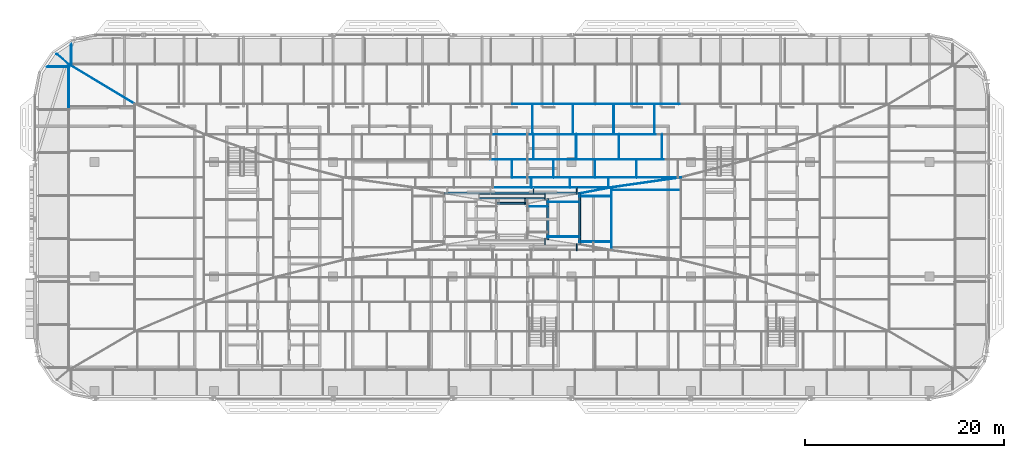
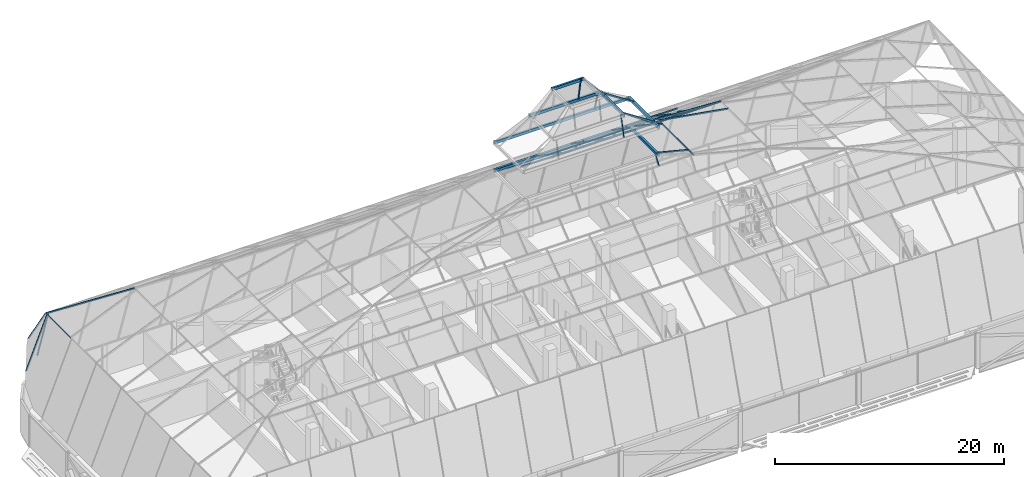
# One storey, part 12 of 39: 61 members, 17 elements without a shape of their own.
"""IFC4 building model written with IfcOpenShell, lengths in metres."""

from ifc_helpers import new_model, si_unit, direction, frame, origin, origin_2d, place, context, subcontext, project, spatial, rectangle, extrude, material, material_profile, profile_set, type_object, element, aggregate, save


model = new_model("IFC4")

# Units and contexts
model_context = context("Model", 3, precision=1e-05, world=origin(), true_north=direction((0.0, 1.0)))
body_context = subcontext(model_context, "Body", "Model", "MODEL_VIEW")
ifc_project = project(units=[si_unit("LENGTHUNIT", "METRE"), si_unit("AREAUNIT", "SQUARE_METRE"), si_unit("VOLUMEUNIT", "CUBIC_METRE"), si_unit("PLANEANGLEUNIT", "RADIAN"), si_unit("MASSUNIT", "GRAM", prefix="KILO")], contexts=[model_context])

# Site, building, storey
site_placement = place(None, origin())
site = spatial("IfcSite", under=ifc_project, at=site_placement, CompositionType="ELEMENT")
building_placement = place(site_placement, origin())
building = spatial("IfcBuilding", under=site, at=building_placement, Name="Mahtab Terrace Research Tower", CompositionType="ELEMENT")
storey_placement = place(building_placement, frame((0.0, 0.0, 282.300048828125)))
storey = spatial("IfcBuildingStorey", under=building, at=storey_placement, Name="L69", CompositionType="ELEMENT", Elevation=282.300048828125)

# Curtain wall, member
ifc_material_1 = material(Name="Crown faceted glass roof")
curtain_wall_type = type_object("IfcCurtainWallType", Name="Crown faceted glass roof", PredefinedType="NOTDEFINED", material=ifc_material_1)
curtain_wall_1_placement = place(storey_placement, origin())
curtain_wall_1 = element("IfcCurtainWall", 1, at=curtain_wall_1_placement, inside=storey, type_object=curtain_wall_type, Name="CROWN.S6", PredefinedType="NOTDEFINED")
ifc_material_2 = material(Name="Natural anodised aluminium", Category="aluminium")
ifc_material_profile_1 = material_profile(ifc_material_2, rectangle(XDim=0.06005859375, YDim=0.139892578125, at=origin_2d()), Name="MULLION 60x140")
ifc_profile_set_1 = profile_set([ifc_material_profile_1], Name="Natural anodised aluminium")
member_type_1 = type_object("IfcMemberType", Name="Crown faceted glass roof mullion", PredefinedType="MULLION", material=ifc_profile_set_1)
member_1_placement = place(storey_placement, frame((6.513916015625, 2.654296875, 20.358154296875), z_axis=(0.0, 0.59674319679, 0.8024322757), x_axis=(-1.0, 0.0, 0.0)))
member_1 = element("IfcMember", 2, at=member_1_placement, type_object=member_type_1, Name="CWC-S7 mullion 4", PredefinedType="MULLION", context=body_context, shape_type="SweptSolid", body=[
    extrude(rectangle(XDim=0.06005859375, YDim=0.139892578125, at=origin_2d()), origin(), (0.0, 0.0, 1.0), 0.9970703125),
])
aggregate(curtain_wall_1, [member_1])

curtain_wall_2_placement = place(storey_placement, origin())
curtain_wall_2 = element("IfcCurtainWall", 3, at=curtain_wall_2_placement, inside=storey, type_object=curtain_wall_type, Name="CROWN.E5", PredefinedType="NOTDEFINED")
member_2_placement = place(storey_placement, frame((16.999267578125, 8.69091796875, 19.130859375), z_axis=(-0.985636308822, 0.0, 0.168881812909), x_axis=(0.0, -1.0, 0.0)))
member_2 = element("IfcMember", 4, at=member_2_placement, type_object=member_type_1, Name="CWC-E6 mullion 2", PredefinedType="MULLION", context=body_context, shape_type="SweptSolid", body=[
    extrude(rectangle(XDim=0.06005859375, YDim=0.139892578125, at=origin_2d()), origin(), (0.0, 0.0, 1.0), 7.106689453125),
])
aggregate(curtain_wall_2, [member_2])

# Curtain wall, members
curtain_wall_3_placement = place(storey_placement, origin())
curtain_wall_3 = element("IfcCurtainWall", 5, at=curtain_wall_3_placement, inside=storey, type_object=curtain_wall_type, Name="CROWN.E6", PredefinedType="NOTDEFINED")
member_3_placement = place(storey_placement, frame((9.989501953125, 3.4931640625, 20.33203125), z_axis=(-0.970007086103, 0.0, 0.243076639991), x_axis=(0.0, -1.0, 0.0)))
member_3 = element("IfcMember", 6, at=member_3_placement, type_object=member_type_1, Name="CWC-E7 mullion 1", PredefinedType="MULLION", context=body_context, shape_type="SweptSolid", body=[
    extrude(rectangle(XDim=0.06005859375, YDim=0.139892578125, at=origin_2d()), origin(), (0.0, 0.0, 1.0), 3.291259765625),
])
member_4_placement = place(storey_placement, frame((9.989501953125, 8.0791015625, 20.33203125), z_axis=(-0.970007086103, 0.0, 0.243076639991), x_axis=(0.0, -1.0, 0.0)))
member_4 = element("IfcMember", 7, at=member_4_placement, type_object=member_type_1, Name="CWC-E7 mullion 2", PredefinedType="MULLION", context=body_context, shape_type="SweptSolid", body=[
    extrude(rectangle(XDim=0.06005859375, YDim=0.139892578125, at=origin_2d()), origin(), (0.0, 0.0, 1.0), 3.291259765625),
])

# Curtain wall, member
curtain_wall_4_placement = place(storey_placement, origin())
curtain_wall_4 = element("IfcCurtainWall", 8, at=curtain_wall_4_placement, inside=storey, type_object=curtain_wall_type, Name="CROWN.N0", PredefinedType="NOTDEFINED")
member_5_placement = place(storey_placement, frame((-44.34814453125, 23.328125, 5.410400390625), z_axis=(0.0, -0.325662532981, 0.945486073199), x_axis=(1.0, 0.0, 0.0)))
member_5 = element("IfcMember", 9, at=member_5_placement, type_object=member_type_1, Name="CWC-N1 mullion 1", PredefinedType="MULLION", context=body_context, shape_type="SweptSolid", body=[
    extrude(rectangle(XDim=0.06005859375, YDim=0.139892578125, at=origin_2d()), origin(), (0.0, 0.0, 1.0), 6.099365234375),
])

# Curtain wall, members
curtain_wall_5_placement = place(storey_placement, origin())
curtain_wall_5 = element("IfcCurtainWall", 10, at=curtain_wall_5_placement, inside=storey, type_object=curtain_wall_type, Name="CROWN.N2", PredefinedType="NOTDEFINED")
member_6_placement = place(storey_placement, frame((2.048095703125, 17.344482421875, 13.9423828125), z_axis=(0.0, -0.822840996734, 0.568271672789), x_axis=(1.0, 0.0, 0.0)))
member_6 = element("IfcMember", 11, at=member_6_placement, type_object=member_type_1, Name="CWC-N3 mullion 9", PredefinedType="MULLION", context=body_context, shape_type="SweptSolid", body=[
    extrude(rectangle(XDim=0.06005859375, YDim=0.139892578125, at=origin_2d()), origin(), (0.0, 0.0, 1.0), 3.695068359375),
])
member_7_placement = place(storey_placement, frame((6.14404296875, 17.344482421875, 13.9423828125), z_axis=(0.0, -0.822840996734, 0.568271672789), x_axis=(1.0, 0.0, 0.0)))
member_7 = element("IfcMember", 12, at=member_7_placement, type_object=member_type_1, Name="CWC-N3 mullion 10", PredefinedType="MULLION", context=body_context, shape_type="SweptSolid", body=[
    extrude(rectangle(XDim=0.06005859375, YDim=0.139892578125, at=origin_2d()), origin(), (0.0, 0.0, 1.0), 3.695068359375),
])
member_8_placement = place(storey_placement, frame((10.239990234375, 17.344482421875, 13.9423828125), z_axis=(0.0, -0.822840996734, 0.568271672789), x_axis=(1.0, 0.0, 0.0)))
member_8 = element("IfcMember", 13, at=member_8_placement, type_object=member_type_1, Name="CWC-N3 mullion 11", PredefinedType="MULLION", context=body_context, shape_type="SweptSolid", body=[
    extrude(rectangle(XDim=0.06005859375, YDim=0.139892578125, at=origin_2d()), origin(), (0.0, 0.0, 1.0), 3.695068359375),
])
member_9_placement = place(storey_placement, frame((14.336181640625, 17.344482421875, 13.9423828125), z_axis=(0.0, -0.822840996734, 0.568271672789), x_axis=(1.0, 0.0, 0.0)))
member_9 = element("IfcMember", 14, at=member_9_placement, type_object=member_type_1, Name="CWC-N3 mullion 12", PredefinedType="MULLION", context=body_context, shape_type="SweptSolid", body=[
    extrude(rectangle(XDim=0.06005859375, YDim=0.139892578125, at=origin_2d()), origin(), (0.0, 0.0, 1.0), 3.695068359375),
])

curtain_wall_6_placement = place(storey_placement, origin())
curtain_wall_6 = element("IfcCurtainWall", 15, at=curtain_wall_6_placement, inside=storey, type_object=curtain_wall_type, Name="CROWN.N3", PredefinedType="NOTDEFINED")
member_10_placement = place(storey_placement, frame((2.156005859375, 14.3046875, 16.041748046875), z_axis=(0.0, -0.830073925035, 0.557653368121), x_axis=(1.0, 0.0, 0.0)))
member_10 = element("IfcMember", 16, at=member_10_placement, type_object=member_type_1, Name="CWC-N4 mullion 7", PredefinedType="MULLION", context=body_context, shape_type="SweptSolid", body=[
    extrude(rectangle(XDim=0.06005859375, YDim=0.139892578125, at=origin_2d()), origin(), (0.0, 0.0, 1.0), 3.048828125),
])
member_11_placement = place(storey_placement, frame((6.468017578125, 14.3046875, 16.041748046875), z_axis=(0.0, -0.830073925035, 0.557653368121), x_axis=(1.0, 0.0, 0.0)))
member_11 = element("IfcMember", 17, at=member_11_placement, type_object=member_type_1, Name="CWC-N4 mullion 8", PredefinedType="MULLION", context=body_context, shape_type="SweptSolid", body=[
    extrude(rectangle(XDim=0.06005859375, YDim=0.139892578125, at=origin_2d()), origin(), (0.0, 0.0, 1.0), 3.048828125),
])
member_12_placement = place(storey_placement, frame((10.77978515625, 14.3046875, 16.041748046875), z_axis=(0.0, -0.830073925035, 0.557653368121), x_axis=(1.0, 0.0, 0.0)))
member_12 = element("IfcMember", 18, at=member_12_placement, type_object=member_type_1, Name="CWC-N4 mullion 9", PredefinedType="MULLION", context=body_context, shape_type="SweptSolid", body=[
    extrude(rectangle(XDim=0.06005859375, YDim=0.139892578125, at=origin_2d()), origin(), (0.0, 0.0, 1.0), 3.048828125),
])
member_13_placement = place(storey_placement, frame((15.091796875, 14.3046875, 16.041748046875), z_axis=(0.0, -0.830073925035, 0.557653368121), x_axis=(1.0, 0.0, 0.0)))
member_13 = element("IfcMember", 19, at=member_13_placement, type_object=member_type_1, Name="CWC-N4 mullion 10", PredefinedType="MULLION", context=body_context, shape_type="SweptSolid", body=[
    extrude(rectangle(XDim=0.06005859375, YDim=0.139892578125, at=origin_2d()), origin(), (0.0, 0.0, 1.0), 3.048828125),
])

curtain_wall_7_placement = place(storey_placement, origin())
curtain_wall_7 = element("IfcCurtainWall", 20, at=curtain_wall_7_placement, inside=storey, type_object=curtain_wall_type, Name="CROWN.N4", PredefinedType="NOTDEFINED")
member_14_placement = place(storey_placement, frame((0.0, 11.770263671875, 17.744384765625), z_axis=(0.0, -0.792683260763, 0.609633699943), x_axis=(1.0, 0.0, 0.0)))
member_14 = element("IfcMember", 21, at=member_14_placement, type_object=member_type_1, Name="CWC-N5 mullion 5", PredefinedType="MULLION", context=body_context, shape_type="SweptSolid", body=[
    extrude(rectangle(XDim=0.06005859375, YDim=0.139892578125, at=origin_2d()), origin(), (0.0, 0.0, 1.0), 2.296630859375),
])
member_15_placement = place(storey_placement, frame((4.177734375, 11.770263671875, 17.744384765625), z_axis=(0.0, -0.792683260763, 0.609633699943), x_axis=(1.0, 0.0, 0.0)))
member_15 = element("IfcMember", 22, at=member_15_placement, type_object=member_type_1, Name="CWC-N5 mullion 6", PredefinedType="MULLION", context=body_context, shape_type="SweptSolid", body=[
    extrude(rectangle(XDim=0.06005859375, YDim=0.139892578125, at=origin_2d()), origin(), (0.0, 0.0, 1.0), 2.296630859375),
])
member_16_placement = place(storey_placement, frame((8.35546875, 11.770263671875, 17.744384765625), z_axis=(0.0, -0.792683260763, 0.609633699943), x_axis=(1.0, 0.0, 0.0)))
member_16 = element("IfcMember", 23, at=member_16_placement, type_object=member_type_1, Name="CWC-N5 mullion 7", PredefinedType="MULLION", context=body_context, shape_type="SweptSolid", body=[
    extrude(rectangle(XDim=0.06005859375, YDim=0.139892578125, at=origin_2d()), origin(), (0.0, 0.0, 1.0), 2.296630859375),
])
member_17_placement = place(storey_placement, frame((12.533203125, 11.770263671875, 17.744384765625), z_axis=(0.0, -0.792683260763, 0.609633699943), x_axis=(1.0, 0.0, 0.0)))
member_17 = element("IfcMember", 24, at=member_17_placement, type_object=member_type_1, Name="CWC-N5 mullion 8", PredefinedType="MULLION", context=body_context, shape_type="SweptSolid", body=[
    extrude(rectangle(XDim=0.06005859375, YDim=0.139892578125, at=origin_2d()), origin(), (0.0, 0.0, 1.0), 2.296630859375),
])

curtain_wall_8_placement = place(storey_placement, origin())
curtain_wall_8 = element("IfcCurtainWall", 25, at=curtain_wall_8_placement, inside=storey, type_object=curtain_wall_type, Name="CROWN.N5", PredefinedType="NOTDEFINED")
member_18_placement = place(storey_placement, frame((1.94140625, 9.9384765625, 19.155029296875), z_axis=(0.0, -0.640675871112, 0.767811453532), x_axis=(1.0, 0.0, 0.0)))
member_18 = element("IfcMember", 26, at=member_18_placement, type_object=member_type_1, Name="CWC-N6 mullion 4", PredefinedType="MULLION", context=body_context, shape_type="SweptSolid", body=[
    extrude(rectangle(XDim=0.06005859375, YDim=0.139892578125, at=origin_2d()), origin(), (0.0, 0.0, 1.0), 1.563232421875),
])
member_19_placement = place(storey_placement, frame((5.823974609375, 9.9384765625, 19.155029296875), z_axis=(0.0, -0.640675871112, 0.767811453532), x_axis=(1.0, 0.0, 0.0)))
member_19 = element("IfcMember", 27, at=member_19_placement, type_object=member_type_1, Name="CWC-N6 mullion 5", PredefinedType="MULLION", context=body_context, shape_type="SweptSolid", body=[
    extrude(rectangle(XDim=0.06005859375, YDim=0.139892578125, at=origin_2d()), origin(), (0.0, 0.0, 1.0), 1.563232421875),
])
member_20_placement = place(storey_placement, frame((9.70654296875, 9.9384765625, 19.155029296875), z_axis=(0.0, -0.640675871112, 0.767811453532), x_axis=(1.0, 0.0, 0.0)))
member_20 = element("IfcMember", 28, at=member_20_placement, type_object=member_type_1, Name="CWC-N6 mullion 6", PredefinedType="MULLION", context=body_context, shape_type="SweptSolid", body=[
    extrude(rectangle(XDim=0.06005859375, YDim=0.139892578125, at=origin_2d()), origin(), (0.0, 0.0, 1.0), 1.563232421875),
])

curtain_wall_9_placement = place(storey_placement, origin())
curtain_wall_9 = element("IfcCurtainWall", 29, at=curtain_wall_9_placement, inside=storey, type_object=curtain_wall_type, Name="CROWN.N6", PredefinedType="NOTDEFINED")
member_21_placement = place(storey_placement, frame((2.17138671875, 8.935302734375, 20.357421875), z_axis=(0.0, -0.607459104981, 0.794350952524), x_axis=(1.0, 0.0, 0.0)))
member_21 = element("IfcMember", 30, at=member_21_placement, type_object=member_type_1, Name="CWC-N7 mullion 3", PredefinedType="MULLION", context=body_context, shape_type="SweptSolid", body=[
    extrude(rectangle(XDim=0.06005859375, YDim=0.139892578125, at=origin_2d()), origin(), (0.0, 0.0, 1.0), 1.007080078125),
])
member_22_placement = place(storey_placement, frame((6.513916015625, 8.935302734375, 20.357421875), z_axis=(0.0, -0.607459104981, 0.794350952524), x_axis=(1.0, 0.0, 0.0)))
member_22 = element("IfcMember", 31, at=member_22_placement, type_object=member_type_1, Name="CWC-N7 mullion 4", PredefinedType="MULLION", context=body_context, shape_type="SweptSolid", body=[
    extrude(rectangle(XDim=0.06005859375, YDim=0.139892578125, at=origin_2d()), origin(), (0.0, 0.0, 1.0), 1.007080078125),
])

# Curtain wall, member
curtain_wall_10_placement = place(storey_placement, origin())
curtain_wall_10 = element("IfcCurtainWall", 32, at=curtain_wall_10_placement, inside=storey, type_object=curtain_wall_type, Name="CROWN.W0", PredefinedType="NOTDEFINED")
member_23_placement = place(storey_placement, frame((-46.72021484375, 21.10791015625, 5.906005859375), z_axis=(0.375925416356, 0.0, 0.926649923832), x_axis=(0.0, 1.0, 0.0)))
member_23 = element("IfcMember", 33, at=member_23_placement, type_object=member_type_1, Name="CWC-W1 mullion 8", PredefinedType="MULLION", context=body_context, shape_type="SweptSolid", body=[
    extrude(rectangle(XDim=0.06005859375, YDim=0.139892578125, at=origin_2d()), origin(), (0.0, 0.0, 1.0), 5.6845703125),
])
aggregate(curtain_wall_10, [member_23])

# Member
member_24_placement = place(storey_placement, frame((-45.7822265625, 22.36376953125, 8.264404296875), z_axis=(0.358084793195, -0.304108503613, 0.882775905263), x_axis=(0.647322651757, 0.762216100934, 0.0)))
member_24 = element("IfcMember", 34, at=member_24_placement, type_object=member_type_1, Name="CWC hip NW 1", PredefinedType="MULLION", context=body_context, shape_type="SweptSolid", body=[
    extrude(rectangle(XDim=0.06005859375, YDim=0.139892578125, at=origin_2d()), origin(), (0.0, 0.0, 1.0), 3.288330078125),
])

aggregate(curtain_wall_4, [member_5, member_24])

# Curtain wall, member
curtain_wall_11_placement = place(storey_placement, origin())
curtain_wall_11 = element("IfcCurtainWall", 35, at=curtain_wall_11_placement, inside=storey, type_object=curtain_wall_type, Name="CROWN.N1", PredefinedType="NOTDEFINED")
member_25_placement = place(storey_placement, frame((-44.633544921875, 21.38671875, 11.134765625), z_axis=(0.805812536168, -0.48607093475, 0.338232468793), x_axis=(0.516512865623, 0.856279428485, 0.0)))
member_25 = element("IfcMember", 36, at=member_25_placement, type_object=member_type_1, Name="CWC hip NW 2", PredefinedType="MULLION", context=body_context, shape_type="SweptSolid", body=[
    extrude(rectangle(XDim=0.06005859375, YDim=0.139892578125, at=origin_2d()), origin(), (0.0, 0.0, 1.0), 8.278564453125),
])
aggregate(curtain_wall_11, [member_25])

# Member
member_26_placement = place(storey_placement, frame((17.00439453125, 9.96240234375, 19.136962890625), z_axis=(-0.976001927144, -0.139511464037, 0.167202839732), x_axis=(0.141503476764, -0.989937758682, 0.0)))
member_26 = element("IfcMember", 37, at=member_26_placement, type_object=member_type_1, Name="CWC hip NE 6", PredefinedType="MULLION", context=body_context, shape_type="SweptSolid", body=[
    extrude(rectangle(XDim=0.06005859375, YDim=0.139892578125, at=origin_2d()), origin(), (0.0, 0.0, 1.0), 7.176513671875),
])

member_27_placement = place(storey_placement, frame((9.9970703125, 8.959716796875, 20.338134765625), z_axis=(-0.953687162604, -0.182759044849, 0.238914058629), x_axis=(0.188209455889, -0.982128912472, 0.0)))
member_27 = element("IfcMember", 38, at=member_27_placement, type_object=member_type_1, Name="CWC hip NE 7", PredefinedType="MULLION", context=body_context, shape_type="SweptSolid", body=[
    extrude(rectangle(XDim=0.06005859375, YDim=0.139892578125, at=origin_2d()), origin(), (0.0, 0.0, 1.0), 3.34765625),
])

# Curtain wall, member
curtain_wall_12_placement = place(storey_placement, origin())
curtain_wall_12 = element("IfcCurtainWall", 39, at=curtain_wall_12_placement, inside=storey, type_object=curtain_wall_type, Name="CROWN.S7", PredefinedType="NOTDEFINED")
member_28_placement = place(storey_placement, frame((3.300048828125, 3.26123046875, 24.18359375), z_axis=(0.0, 0.234629485068, 0.972084875274), x_axis=(-1.0, 0.0, 0.0)))
member_28 = element("IfcMember", 40, at=member_28_placement, type_object=member_type_1, Name="CWC-S8 mullion 2", PredefinedType="MULLION", context=body_context, shape_type="SweptSolid", body=[
    extrude(rectangle(XDim=0.06005859375, YDim=0.139892578125, at=origin_2d()), origin(), (0.0, 0.0, 1.0), 2.16015625),
])
aggregate(curtain_wall_12, [member_28])

# Curtain wall, members
curtain_wall_13_placement = place(storey_placement, origin())
curtain_wall_13 = element("IfcCurtainWall", 41, at=curtain_wall_13_placement, inside=storey, type_object=curtain_wall_type, Name="CROWN.E7", PredefinedType="NOTDEFINED")
member_29_placement = place(storey_placement, frame((6.775634765625, 4.0, 24.141357421875), z_axis=(-0.83712193817, 0.0, 0.547016325747), x_axis=(0.0, -1.0, 0.0)))
member_29 = element("IfcMember", 42, at=member_29_placement, type_object=member_type_1, Name="CWC-E8 mullion 1", PredefinedType="MULLION", context=body_context, shape_type="SweptSolid", body=[
    extrude(rectangle(XDim=0.06005859375, YDim=0.139892578125, at=origin_2d()), origin(), (0.0, 0.0, 1.0), 3.839111328125),
])
member_30_placement = place(storey_placement, frame((6.775634765625, 7.5, 24.141357421875), z_axis=(-0.83712193817, 0.0, 0.547016325747), x_axis=(0.0, -1.0, 0.0)))
member_30 = element("IfcMember", 43, at=member_30_placement, type_object=member_type_1, Name="CWC-E8 mullion 2", PredefinedType="MULLION", context=body_context, shape_type="SweptSolid", body=[
    extrude(rectangle(XDim=0.06005859375, YDim=0.139892578125, at=origin_2d()), origin(), (0.0, 0.0, 1.0), 3.839111328125),
])
aggregate(curtain_wall_13, [member_29, member_30])

# Curtain wall, member
curtain_wall_14_placement = place(storey_placement, origin())
curtain_wall_14 = element("IfcCurtainWall", 44, at=curtain_wall_14_placement, inside=storey, type_object=curtain_wall_type, Name="CROWN.N7", PredefinedType="NOTDEFINED")
member_31_placement = place(storey_placement, frame((3.300048828125, 8.3115234375, 24.181396484375), z_axis=(0.0, -0.265857166191, 0.964012431032), x_axis=(1.0, 0.0, 0.0)))
member_31 = element("IfcMember", 45, at=member_31_placement, type_object=member_type_1, Name="CWC-N8 mullion 2", PredefinedType="MULLION", context=body_context, shape_type="SweptSolid", body=[
    extrude(rectangle(XDim=0.06005859375, YDim=0.139892578125, at=origin_2d()), origin(), (0.0, 0.0, 1.0), 2.17822265625),
])
aggregate(curtain_wall_14, [member_31])

curtain_wall_15_placement = place(storey_placement, origin())
curtain_wall_15 = element("IfcCurtainWall", 46, at=curtain_wall_15_placement, inside=storey, type_object=curtain_wall_type, Name="CROWN.E8", PredefinedType="NOTDEFINED")
member_32_placement = place(storey_placement, frame((3.546142578125, 7.050048828125, 26.255126953125), z_axis=(-0.640199773186, 0.0, 0.768208468069), x_axis=(0.0, -1.0, 0.0)))
member_32 = element("IfcMember", 47, at=member_32_placement, type_object=member_type_1, Name="CWC-E9 mullion 2", PredefinedType="MULLION", context=body_context, shape_type="SweptSolid", body=[
    extrude(rectangle(XDim=0.06005859375, YDim=0.139892578125, at=origin_2d()), origin(), (0.0, 0.0, 1.0), 3.1240234375),
])
aggregate(curtain_wall_15, [member_32])

curtain_wall_16_placement = place(storey_placement, origin())
curtain_wall_16 = element("IfcCurtainWall", 48, at=curtain_wall_16_placement, inside=storey, type_object=curtain_wall_type, Name="CROWN.N8", PredefinedType="NOTDEFINED")
member_33_placement = place(storey_placement, frame((1.300048828125, 7.731201171875, 26.287109375), z_axis=(0.0, -0.184276461107, 0.982874450722), x_axis=(1.0, 0.0, 0.0)))
member_33 = element("IfcMember", 49, at=member_33_placement, type_object=member_type_1, Name="CWC-N9 mullion 2", PredefinedType="MULLION", context=body_context, shape_type="SweptSolid", body=[
    extrude(rectangle(XDim=0.06005859375, YDim=0.139892578125, at=origin_2d()), origin(), (0.0, 0.0, 1.0), 2.441650390625),
])
aggregate(curtain_wall_16, [member_33])

# Member
ifc_material_profile_2 = material_profile(ifc_material_2, rectangle(XDim=0.06005859375, YDim=0.139892578125, at=origin_2d()), Name="TRANSOM 60x140")
ifc_profile_set_2 = profile_set([ifc_material_profile_2], Name="Natural anodised aluminium")
member_type_2 = type_object("IfcMemberType", Name="Crown faceted glass roof transom", PredefinedType="USERDEFINED", material=ifc_profile_set_2)
member_34_placement = place(storey_placement, frame((9.9921875, 2.59814453125, 20.33154296875), z_axis=(0.0, 1.0, 0.0), x_axis=(-1.0, 0.0, 0.0)))
member_34 = element("IfcMember", 50, at=member_34_placement, type_object=member_type_2, Name="CWC-E7 transom 1", ObjectType="TRANSOM", PredefinedType="USERDEFINED", context=body_context, shape_type="SweptSolid", body=[
    extrude(rectangle(XDim=0.06005859375, YDim=0.139892578125, at=origin_2d()), origin(), (0.0, 0.0, 1.0), 6.392578125),
])

member_35_placement = place(storey_placement, frame((0.0, 17.344482421875, 13.9423828125), z_axis=(1.0, 0.0, 0.0), x_axis=(0.0, 1.0, 0.0)))
member_35 = element("IfcMember", 51, at=member_35_placement, type_object=member_type_2, Name="CWC-N3 transom 10", ObjectType="TRANSOM", PredefinedType="USERDEFINED", context=body_context, shape_type="SweptSolid", body=[
    extrude(rectangle(XDim=0.06005859375, YDim=0.139892578125, at=origin_2d()), origin(), (0.0, 0.0, 1.0), 4.2197265625),
])

member_36_placement = place(storey_placement, frame((4.2197265625, 17.344482421875, 13.9423828125), z_axis=(1.0, 0.0, 0.0), x_axis=(0.0, 1.0, 0.0)))
member_36 = element("IfcMember", 52, at=member_36_placement, type_object=member_type_2, Name="CWC-N3 transom 11", ObjectType="TRANSOM", PredefinedType="USERDEFINED", context=body_context, shape_type="SweptSolid", body=[
    extrude(rectangle(XDim=0.06005859375, YDim=0.139892578125, at=origin_2d()), origin(), (0.0, 0.0, 1.0), 4.219482421875),
])

member_37_placement = place(storey_placement, frame((8.439208984375, 17.344482421875, 13.9423828125), z_axis=(1.0, 0.0, 0.0), x_axis=(0.0, 1.0, 0.0)))
member_37 = element("IfcMember", 53, at=member_37_placement, type_object=member_type_2, Name="CWC-N3 transom 12", ObjectType="TRANSOM", PredefinedType="USERDEFINED", context=body_context, shape_type="SweptSolid", body=[
    extrude(rectangle(XDim=0.06005859375, YDim=0.139892578125, at=origin_2d()), origin(), (0.0, 0.0, 1.0), 4.2197265625),
])

member_38_placement = place(storey_placement, frame((12.658935546875, 17.344482421875, 13.9423828125), z_axis=(1.0, 0.0, 0.0), x_axis=(0.0, 1.0, 0.0)))
member_38 = element("IfcMember", 54, at=member_38_placement, type_object=member_type_2, Name="CWC-N3 transom 13", ObjectType="TRANSOM", PredefinedType="USERDEFINED", context=body_context, shape_type="SweptSolid", body=[
    extrude(rectangle(XDim=0.06005859375, YDim=0.139892578125, at=origin_2d()), origin(), (0.0, 0.0, 1.0), 4.2197265625),
])

aggregate(curtain_wall_5, [member_6, member_7, member_8, member_9, member_35, member_36, member_37, member_38])

member_39_placement = place(storey_placement, frame((-2.068115234375, 14.30419921875, 16.0419921875), z_axis=(1.0, 0.0, 0.0), x_axis=(0.0, 1.0, 0.0)))
member_39 = element("IfcMember", 55, at=member_39_placement, type_object=member_type_2, Name="CWC-N4 transom 8", ObjectType="TRANSOM", PredefinedType="USERDEFINED", context=body_context, shape_type="SweptSolid", body=[
    extrude(rectangle(XDim=0.06005859375, YDim=0.139892578125, at=origin_2d()), origin(), (0.0, 0.0, 1.0), 4.13623046875),
])

member_40_placement = place(storey_placement, frame((2.068115234375, 14.30419921875, 16.0419921875), z_axis=(1.0, 0.0, 0.0), x_axis=(0.0, 1.0, 0.0)))
member_40 = element("IfcMember", 56, at=member_40_placement, type_object=member_type_2, Name="CWC-N4 transom 9", ObjectType="TRANSOM", PredefinedType="USERDEFINED", context=body_context, shape_type="SweptSolid", body=[
    extrude(rectangle(XDim=0.06005859375, YDim=0.139892578125, at=origin_2d()), origin(), (0.0, 0.0, 1.0), 4.135986328125),
])

member_41_placement = place(storey_placement, frame((6.2041015625, 14.30419921875, 16.0419921875), z_axis=(1.0, 0.0, 0.0), x_axis=(0.0, 1.0, 0.0)))
member_41 = element("IfcMember", 57, at=member_41_placement, type_object=member_type_2, Name="CWC-N4 transom 10", ObjectType="TRANSOM", PredefinedType="USERDEFINED", context=body_context, shape_type="SweptSolid", body=[
    extrude(rectangle(XDim=0.06005859375, YDim=0.139892578125, at=origin_2d()), origin(), (0.0, 0.0, 1.0), 4.135986328125),
])

member_42_placement = place(storey_placement, frame((10.340087890625, 14.30419921875, 16.0419921875), z_axis=(1.0, 0.0, 0.0), x_axis=(0.0, 1.0, 0.0)))
member_42 = element("IfcMember", 58, at=member_42_placement, type_object=member_type_2, Name="CWC-N4 transom 11", ObjectType="TRANSOM", PredefinedType="USERDEFINED", context=body_context, shape_type="SweptSolid", body=[
    extrude(rectangle(XDim=0.06005859375, YDim=0.139892578125, at=origin_2d()), origin(), (0.0, 0.0, 1.0), 4.135986328125),
])

aggregate(curtain_wall_6, [member_10, member_11, member_12, member_13, member_39, member_40, member_41, member_42])

member_43_placement = place(storey_placement, frame((-2.18310546875, 11.772216796875, 17.7431640625), z_axis=(1.0, 0.0, 0.0), x_axis=(0.0, 1.0, 0.0)))
member_43 = element("IfcMember", 59, at=member_43_placement, type_object=member_type_2, Name="CWC-N5 transom 6", ObjectType="TRANSOM", PredefinedType="USERDEFINED", context=body_context, shape_type="SweptSolid", body=[
    extrude(rectangle(XDim=0.06005859375, YDim=0.139892578125, at=origin_2d()), origin(), (0.0, 0.0, 1.0), 4.3662109375),
])

member_44_placement = place(storey_placement, frame((2.18310546875, 11.772216796875, 17.7431640625), z_axis=(1.0, 0.0, 0.0), x_axis=(0.0, 1.0, 0.0)))
member_44 = element("IfcMember", 60, at=member_44_placement, type_object=member_type_2, Name="CWC-N5 transom 7", ObjectType="TRANSOM", PredefinedType="USERDEFINED", context=body_context, shape_type="SweptSolid", body=[
    extrude(rectangle(XDim=0.06005859375, YDim=0.139892578125, at=origin_2d()), origin(), (0.0, 0.0, 1.0), 4.36669921875),
])

member_45_placement = place(storey_placement, frame((6.5498046875, 11.772216796875, 17.7431640625), z_axis=(1.0, 0.0, 0.0), x_axis=(0.0, 1.0, 0.0)))
member_45 = element("IfcMember", 61, at=member_45_placement, type_object=member_type_2, Name="CWC-N5 transom 8", ObjectType="TRANSOM", PredefinedType="USERDEFINED", context=body_context, shape_type="SweptSolid", body=[
    extrude(rectangle(XDim=0.06005859375, YDim=0.139892578125, at=origin_2d()), origin(), (0.0, 0.0, 1.0), 4.366455078125),
])

member_46_placement = place(storey_placement, frame((10.916259765625, 11.772216796875, 17.7431640625), z_axis=(1.0, 0.0, 0.0), x_axis=(0.0, 1.0, 0.0)))
member_46 = element("IfcMember", 62, at=member_46_placement, type_object=member_type_2, Name="CWC-N5 transom 9", ObjectType="TRANSOM", PredefinedType="USERDEFINED", context=body_context, shape_type="SweptSolid", body=[
    extrude(rectangle(XDim=0.06005859375, YDim=0.139892578125, at=origin_2d()), origin(), (0.0, 0.0, 1.0), 4.366455078125),
])

aggregate(curtain_wall_7, [member_14, member_15, member_16, member_17, member_43, member_44, member_45, member_46])

member_47_placement = place(storey_placement, frame((0.0, 9.943603515625, 19.1494140625), z_axis=(1.0, 0.0, 0.0), x_axis=(0.0, 1.0, 0.0)))
member_47 = element("IfcMember", 63, at=member_47_placement, type_object=member_type_2, Name="CWC-N6 transom 5", ObjectType="TRANSOM", PredefinedType="USERDEFINED", context=body_context, shape_type="SweptSolid", body=[
    extrude(rectangle(XDim=0.06005859375, YDim=0.139892578125, at=origin_2d()), origin(), (0.0, 0.0, 1.0), 4.252685546875),
])

member_48_placement = place(storey_placement, frame((4.252685546875, 9.943603515625, 19.1494140625), z_axis=(1.0, 0.0, 0.0), x_axis=(0.0, 1.0, 0.0)))
member_48 = element("IfcMember", 64, at=member_48_placement, type_object=member_type_2, Name="CWC-N6 transom 6", ObjectType="TRANSOM", PredefinedType="USERDEFINED", context=body_context, shape_type="SweptSolid", body=[
    extrude(rectangle(XDim=0.06005859375, YDim=0.139892578125, at=origin_2d()), origin(), (0.0, 0.0, 1.0), 4.2529296875),
])

member_49_placement = place(storey_placement, frame((8.505615234375, 9.943603515625, 19.1494140625), z_axis=(1.0, 0.0, 0.0), x_axis=(0.0, 1.0, 0.0)))
member_49 = element("IfcMember", 65, at=member_49_placement, type_object=member_type_2, Name="CWC-N6 transom 7", ObjectType="TRANSOM", PredefinedType="USERDEFINED", context=body_context, shape_type="SweptSolid", body=[
    extrude(rectangle(XDim=0.06005859375, YDim=0.139892578125, at=origin_2d()), origin(), (0.0, 0.0, 1.0), 4.252685546875),
])

member_50_placement = place(storey_placement, frame((12.75830078125, 9.943603515625, 19.1494140625), z_axis=(1.0, 0.0, 0.0), x_axis=(0.0, 1.0, 0.0)))
member_50 = element("IfcMember", 66, at=member_50_placement, type_object=member_type_2, Name="CWC-N6 transom 8", ObjectType="TRANSOM", PredefinedType="USERDEFINED", context=body_context, shape_type="SweptSolid", body=[
    extrude(rectangle(XDim=0.06005859375, YDim=0.139892578125, at=origin_2d()), origin(), (0.0, 0.0, 1.0), 4.252685546875),
])

aggregate(curtain_wall_8, [member_18, member_19, member_20, member_47, member_48, member_49, member_50, member_26])

member_51_placement = place(storey_placement, frame((-2.001220703125, 8.936279296875, 20.356201171875), z_axis=(1.0, 0.0, 0.0), x_axis=(0.0, 1.0, 0.0)))
member_51 = element("IfcMember", 67, at=member_51_placement, type_object=member_type_2, Name="CWC-N7 transom 3", ObjectType="TRANSOM", PredefinedType="USERDEFINED", context=body_context, shape_type="SweptSolid", body=[
    extrude(rectangle(XDim=0.06005859375, YDim=0.139892578125, at=origin_2d()), origin(), (0.0, 0.0, 1.0), 4.00244140625),
])

member_52_placement = place(storey_placement, frame((2.001220703125, 8.936279296875, 20.356201171875), z_axis=(1.0, 0.0, 0.0), x_axis=(0.0, 1.0, 0.0)))
member_52 = element("IfcMember", 68, at=member_52_placement, type_object=member_type_2, Name="CWC-N7 transom 4", ObjectType="TRANSOM", PredefinedType="USERDEFINED", context=body_context, shape_type="SweptSolid", body=[
    extrude(rectangle(XDim=0.06005859375, YDim=0.139892578125, at=origin_2d()), origin(), (0.0, 0.0, 1.0), 4.002685546875),
])

member_53_placement = place(storey_placement, frame((6.00390625, 8.936279296875, 20.356201171875), z_axis=(1.0, 0.0, 0.0), x_axis=(0.0, 1.0, 0.0)))
member_53 = element("IfcMember", 69, at=member_53_placement, type_object=member_type_2, Name="CWC-N7 transom 5", ObjectType="TRANSOM", PredefinedType="USERDEFINED", context=body_context, shape_type="SweptSolid", body=[
    extrude(rectangle(XDim=0.06005859375, YDim=0.139892578125, at=origin_2d()), origin(), (0.0, 0.0, 1.0), 4.002685546875),
])

# Curtain wall, member
curtain_wall_17_placement = place(storey_placement, origin())
curtain_wall_17 = element("IfcCurtainWall", 70, at=curtain_wall_17_placement, inside=storey, type_object=curtain_wall_type, Name="CROWN.W1", PredefinedType="NOTDEFINED")
member_54_placement = place(storey_placement, frame((-44.598388671875, 16.99560546875, 11.150634765625), z_axis=(0.0, 1.0, 0.0), x_axis=(-1.0, 0.0, 0.0)))
member_54 = element("IfcMember", 71, at=member_54_placement, type_object=member_type_2, Name="CWC-W2 transom 7", ObjectType="TRANSOM", PredefinedType="USERDEFINED", context=body_context, shape_type="SweptSolid", body=[
    extrude(rectangle(XDim=0.06005859375, YDim=0.139892578125, at=origin_2d()), origin(), (0.0, 0.0, 1.0), 4.412353515625),
])
aggregate(curtain_wall_17, [member_54])

# Member
ifc_material_profile_3 = material_profile(ifc_material_2, rectangle(XDim=0.199951171875, YDim=0.300048828125, at=origin_2d()), Name="RING BEAM 200x300")
ifc_profile_set_3 = profile_set([ifc_material_profile_3], Name="Natural anodised aluminium")
member_type_3 = type_object("IfcMemberType", Name="Crown lantern ring beam", PredefinedType="USERDEFINED", material=ifc_profile_set_3)
member_55_placement = place(storey_placement, frame((6.81396484375, 3.193115234375, 21.050048828125), z_axis=(0.0, 1.0, 0.0), x_axis=(-1.0, 0.0, 0.0)))
member_55 = element("IfcMember", 72, at=member_55_placement, type_object=member_type_3, Name="Crown lantern ring beam 0 E", ObjectType="RING BEAM", PredefinedType="USERDEFINED", context=body_context, shape_type="SweptSolid", body=[
    extrude(rectangle(XDim=0.199951171875, YDim=0.300048828125, at=origin_2d()), origin(), (0.0, 0.0, 1.0), 5.18603515625),
])

member_56_placement = place(storey_placement, frame((6.81396484375, 8.379150390625, 21.050048828125), z_axis=(-1.0, 0.0, 0.0), x_axis=(0.0, -1.0, 0.0)))
member_56 = element("IfcMember", 73, at=member_56_placement, type_object=member_type_3, Name="Crown lantern ring beam 0 N", ObjectType="RING BEAM", PredefinedType="USERDEFINED", context=body_context, shape_type="SweptSolid", body=[
    extrude(rectangle(XDim=0.199951171875, YDim=0.300048828125, at=origin_2d()), origin(), (0.0, 0.0, 1.0), 13.6279296875),
])

member_57_placement = place(storey_placement, frame((6.81396484375, 3.193115234375, 24.050048828125), z_axis=(0.0, 1.0, 0.0), x_axis=(-1.0, 0.0, 0.0)))
member_57 = element("IfcMember", 74, at=member_57_placement, type_object=member_type_3, Name="Crown lantern ring beam 1 E", ObjectType="RING BEAM", PredefinedType="USERDEFINED", context=body_context, shape_type="SweptSolid", body=[
    extrude(rectangle(XDim=0.199951171875, YDim=0.300048828125, at=origin_2d()), origin(), (0.0, 0.0, 1.0), 5.18603515625),
])

member_58_placement = place(storey_placement, frame((6.81396484375, 8.379150390625, 24.050048828125), z_axis=(-1.0, 0.0, 0.0), x_axis=(0.0, -1.0, 0.0)))
member_58 = element("IfcMember", 75, at=member_58_placement, type_object=member_type_3, Name="Crown lantern ring beam 1 N", ObjectType="RING BEAM", PredefinedType="USERDEFINED", context=body_context, shape_type="SweptSolid", body=[
    extrude(rectangle(XDim=0.199951171875, YDim=0.300048828125, at=origin_2d()), origin(), (0.0, 0.0, 1.0), 13.6279296875),
])

member_59_placement = place(storey_placement, frame((3.60009765625, 3.699951171875, 26.14990234375), z_axis=(0.0, 1.0, 0.0), x_axis=(-1.0, 0.0, 0.0)))
member_59 = element("IfcMember", 76, at=member_59_placement, type_object=member_type_3, Name="Crown lantern ring beam c2 E", ObjectType="RING BEAM", PredefinedType="USERDEFINED", context=body_context, shape_type="SweptSolid", body=[
    extrude(rectangle(XDim=0.199951171875, YDim=0.300048828125, at=origin_2d()), origin(), (0.0, 0.0, 1.0), 4.10009765625),
])

aggregate(curtain_wall_3, [member_3, member_4, member_34, member_55, member_57, member_59])

member_60_placement = place(storey_placement, frame((3.60009765625, 7.800048828125, 26.14990234375), z_axis=(-1.0, 0.0, 0.0), x_axis=(0.0, -1.0, 0.0)))
member_60 = element("IfcMember", 77, at=member_60_placement, type_object=member_type_3, Name="Crown lantern ring beam c2 N", ObjectType="RING BEAM", PredefinedType="USERDEFINED", context=body_context, shape_type="SweptSolid", body=[
    extrude(rectangle(XDim=0.199951171875, YDim=0.300048828125, at=origin_2d()), origin(), (0.0, 0.0, 1.0), 7.2001953125),
])

member_61_placement = place(storey_placement, frame((1.60009765625, 7.35009765625, 28.550048828125), z_axis=(-1.0, 0.0, 0.0), x_axis=(0.0, -1.0, 0.0)))
member_61 = element("IfcMember", 78, at=member_61_placement, type_object=member_type_3, Name="Crown lantern ring beam c3 N", ObjectType="RING BEAM", PredefinedType="USERDEFINED", context=body_context, shape_type="SweptSolid", body=[
    extrude(rectangle(XDim=0.199951171875, YDim=0.300048828125, at=origin_2d()), origin(), (0.0, 0.0, 1.0), 3.2001953125),
])

aggregate(curtain_wall_9, [member_21, member_22, member_51, member_52, member_53, member_27, member_56, member_58, member_60, member_61])

save(model, "model.ifc")
